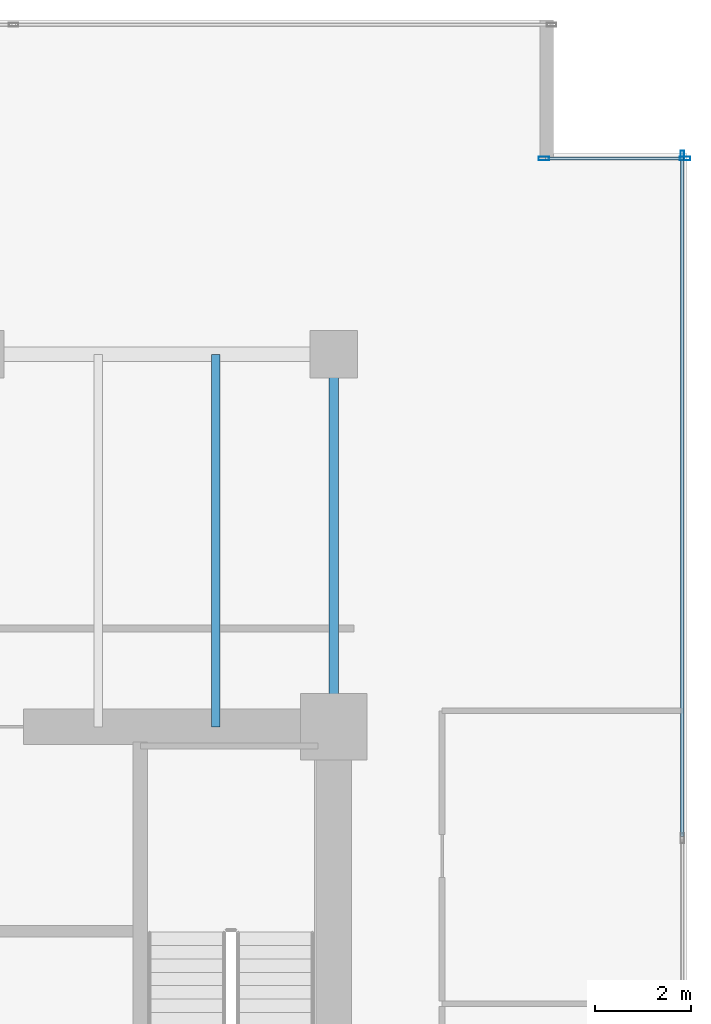
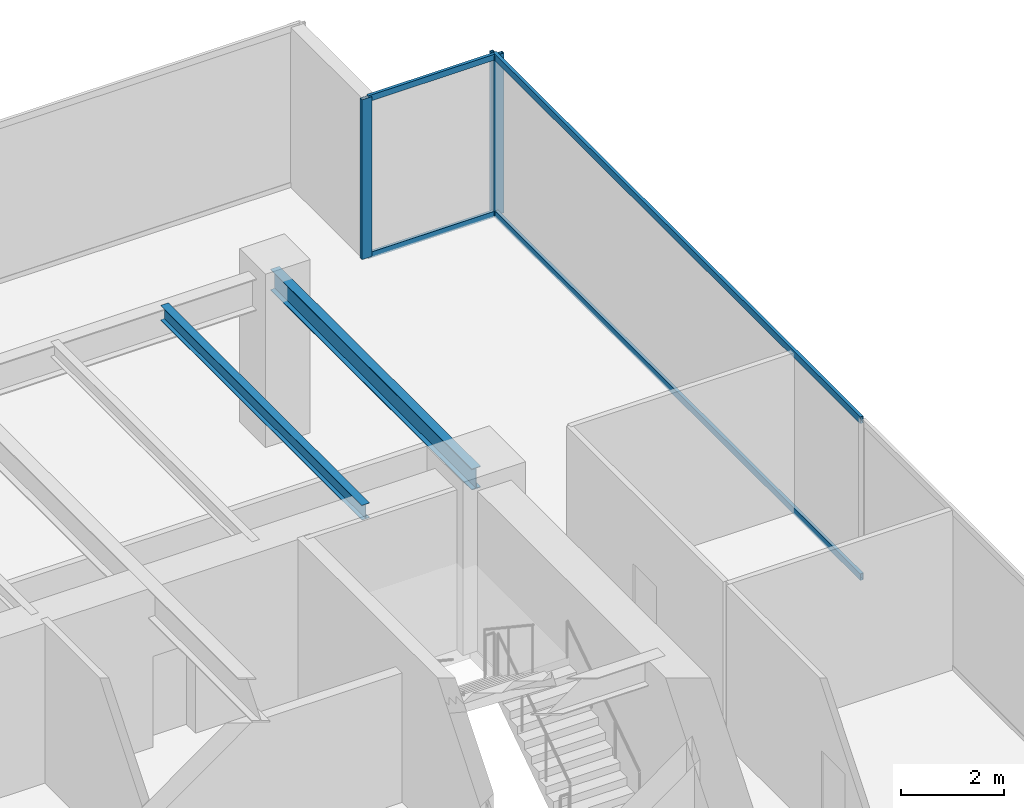
# One storey, part 26 of 35: 7 members, 2 beams, 2 elements without a shape of their own.
"""IFC4 building model written with IfcOpenShell, lengths in metres."""

from ifc_helpers import new_model, si_unit, direction, frame, origin, origin_2d, place, context, subcontext, project, spatial, hollow_rectangle, i_section, extrude, source, transform, mapped, material, layer, layer_set, material_profile, profile_set, type_object, type_shapes, element, aggregate, save


model = new_model("IFC4")

# Units and contexts
model_context = context("Model", 3, precision=1e-05, world=origin(), true_north=direction((0.0, 1.0)))
body_context = subcontext(model_context, "Body", "Model", "MODEL_VIEW")
ifc_project = project(units=[si_unit("LENGTHUNIT", "METRE"), si_unit("AREAUNIT", "SQUARE_METRE"), si_unit("VOLUMEUNIT", "CUBIC_METRE"), si_unit("PLANEANGLEUNIT", "RADIAN"), si_unit("MASSUNIT", "GRAM", prefix="KILO")], contexts=[model_context])

# Site, building, storey
site_placement = place(None, origin())
site = spatial("IfcSite", under=ifc_project, at=site_placement, CompositionType="ELEMENT")
building_placement = place(site_placement, origin())
building = spatial("IfcBuilding", under=site, at=building_placement, Name="Haelvirn Gate Laboratories", CompositionType="ELEMENT")
storey_placement = place(building_placement, frame((0.0, 0.0, 41.60009765625)))
storey = spatial("IfcBuildingStorey", under=building, at=storey_placement, Name="L10", CompositionType="ELEMENT", Elevation=41.60009765625)

# Beams
ifc_material_1 = material(Name="Steel SM355", Category="steel")
ifc_material_profile_1 = material_profile(ifc_material_1, i_section(OverallWidth=0.199951171875, OverallDepth=0.5, WebThickness=0.010009765625, FlangeThickness=0.01611328125, at=origin_2d()), Name="H-500x200x10x16")
ifc_profile_set_1 = profile_set([ifc_material_profile_1], Name="Steel SM355")
beam_type_1 = type_object("IfcBeamType", Name="BM-SP-500", PredefinedType="SPANDREL", material=ifc_profile_set_1)
shared_shape_1 = source(origin(), body_context, "Body", "SweptSolid", [
    extrude(i_section(OverallWidth=0.199951171875, OverallDepth=0.5, WebThickness=0.010009765625, FlangeThickness=0.01611328125, at=origin_2d()), origin(), (0.0, 0.0, 1.0), 7.800048828125),
])
type_shapes(beam_type_1, [shared_shape_1])
beam_1_placement = place(storey_placement, frame((67.39990234375, 33.800048828125, 3.52978515625), z_axis=(0.0, 1.0, 0.0), x_axis=(-1.0, 0.0, 0.0)))
element("IfcBeam", 1, at=beam_1_placement, inside=storey, type_object=beam_type_1, Name="L10 Perimeter Spandrel X67.4 (33.8-41.6)", PredefinedType="SPANDREL", context=body_context, shape_type="MappedRepresentation", body=[
    mapped(shared_shape_1, transform((0.0, 0.0, 0.0), scale=1.0)),
])
ifc_material_profile_2 = material_profile(ifc_material_1, i_section(OverallWidth=0.175048828125, OverallDepth=0.35009765625, WebThickness=0.007080078125, FlangeThickness=0.010986328125, at=origin_2d()), Name="H-350x175x7x11")
ifc_profile_set_2 = profile_set([ifc_material_profile_2], Name="Steel SM355")
beam_type_2 = type_object("IfcBeamType", Name="BM-J-350", PredefinedType="JOIST", material=ifc_profile_set_2)
shared_shape_2 = source(origin(), body_context, "Body", "SweptSolid", [
    extrude(i_section(OverallWidth=0.175048828125, OverallDepth=0.35009765625, WebThickness=0.007080078125, FlangeThickness=0.010986328125, at=origin_2d()), origin(), (0.0, 0.0, 1.0), 7.800048828125),
])
type_shapes(beam_type_2, [shared_shape_2])
beam_2_placement = place(storey_placement, frame((64.929931640625, 33.800048828125, 3.60498046875), z_axis=(0.0, 1.0, 0.0), x_axis=(-1.0, 0.0, 0.0)))
element("IfcBeam", 2, at=beam_2_placement, inside=storey, type_object=beam_type_2, Name="L10 Composite Lab Joist North X64.93", PredefinedType="JOIST", context=body_context, shape_type="MappedRepresentation", body=[
    mapped(shared_shape_2, transform((0.0, 0.0, 0.0), scale=1.0)),
])

# Curtain wall, members
ifc_material_2 = material(Name="Anodised bronze unitised aluminium & triple low-E glass", Category="aluminium")
ifc_layer_1 = layer(ifc_material_2, 0.181884765625, Name="CW-SYS-5")
ifc_layer_set_1 = layer_set([ifc_layer_1], Name="Anodised bronze unitised aluminium & triple low-E glass")
curtain_wall_type_1 = type_object("IfcCurtainWallType", Name="CW-SYS-5", PredefinedType="NOTDEFINED", material=ifc_layer_set_1)
curtain_wall_1_placement = place(storey_placement, origin())
curtain_wall_1 = element("IfcCurtainWall", 3, at=curtain_wall_1_placement, inside=storey, type_object=curtain_wall_type_1, Name="L10 Unitised Curtain Wall CW-L10-P0-E08-1", PredefinedType="NOTDEFINED")
ifc_material_3 = material(Name="Extruded aluminium 6063-T6 (anodised bronze)", Category="aluminium")
ifc_material_profile_3 = material_profile(ifc_material_3, hollow_rectangle(XDim=0.06494140625, YDim=0.139892578125, WallThickness=0.00390625, at=origin_2d()), Name="CWT-140x65x4")
ifc_profile_set_3 = profile_set([ifc_material_profile_3], Name="Extruded aluminium 6063-T6 (anodised bronze)")
member_type_1 = type_object("IfcMemberType", Name="CWT-T140", PredefinedType="USERDEFINED", material=ifc_profile_set_3)
shared_shape_3 = source(origin(), body_context, "Body", "SweptSolid", [
    extrude(hollow_rectangle(XDim=0.06494140625, YDim=0.139892578125, WallThickness=0.00390625, at=origin_2d()), origin(), (0.0, 0.0, 1.0), 2.8798828125),
])
type_shapes(member_type_1, [shared_shape_3])
member_1_placement = place(storey_placement, frame((71.840087890625, 45.699951171875, 0.032470703125), z_axis=(1.0, 0.0, 0.0), x_axis=(0.0, 1.0, 0.0)))
member_1 = element("IfcMember", 4, at=member_1_placement, type_object=member_type_1, Name="CW5 transom 1.1", ObjectType="TRANSOM", PredefinedType="USERDEFINED", context=body_context, shape_type="MappedRepresentation", body=[
    mapped(shared_shape_3, transform((0.0, 0.0, 0.0), scale=1.0)),
])
member_2_placement = place(storey_placement, frame((71.840087890625, 45.699951171875, 3.747314453125), z_axis=(1.0, 0.0, 0.0), x_axis=(0.0, 1.0, 0.0)))
member_2 = element("IfcMember", 5, at=member_2_placement, type_object=member_type_1, Name="CW5 transom 1.2", ObjectType="TRANSOM", PredefinedType="USERDEFINED", context=body_context, shape_type="MappedRepresentation", body=[
    mapped(shared_shape_3, transform((0.0, 0.0, 0.0), scale=1.0)),
])

ifc_layer_2 = layer(ifc_material_2, 0.18408203125, Name="CW-SYS-2")
ifc_layer_set_2 = layer_set([ifc_layer_2], Name="Anodised bronze unitised aluminium & triple low-E glass")
curtain_wall_type_2 = type_object("IfcCurtainWallType", Name="CW-SYS-2", PredefinedType="NOTDEFINED", material=ifc_layer_set_2)
curtain_wall_2_placement = place(storey_placement, origin())
curtain_wall_2 = element("IfcCurtainWall", 6, at=curtain_wall_2_placement, inside=storey, type_object=curtain_wall_type_2, Name="L10 Unitised Curtain Wall CW-L10-P0-E07", PredefinedType="NOTDEFINED")
ifc_material_profile_4 = material_profile(ifc_material_3, hollow_rectangle(XDim=0.070068359375, YDim=0.159912109375, WallThickness=0.0048828125, at=origin_2d()), Name="CWT-160x70x5")
ifc_profile_set_4 = profile_set([ifc_material_profile_4], Name="Extruded aluminium 6063-T6 (anodised bronze)")
member_type_2 = type_object("IfcMemberType", Name="CWT-T160", PredefinedType="USERDEFINED", material=ifc_profile_set_4)
shared_shape_4 = source(origin(), body_context, "Body", "SweptSolid", [
    extrude(hollow_rectangle(XDim=0.070068359375, YDim=0.159912109375, WallThickness=0.0048828125, at=origin_2d()), origin(), (0.0, 0.0, 1.0), 14.220947265625),
])
type_shapes(member_type_2, [shared_shape_4])
member_3_placement = place(storey_placement, frame((74.699951171875, 31.504150390625, 0.034912109375), z_axis=(0.0, 1.0, 0.0), x_axis=(-1.0, 0.0, 0.0)))
member_3 = element("IfcMember", 7, at=member_3_placement, type_object=member_type_2, Name="CW2 transom 3.1", ObjectType="TRANSOM", PredefinedType="USERDEFINED", context=body_context, shape_type="MappedRepresentation", body=[
    mapped(shared_shape_4, transform((0.0, 0.0, 0.0), scale=1.0)),
])
member_4_placement = place(storey_placement, frame((74.699951171875, 31.504150390625, 3.744873046875), z_axis=(0.0, 1.0, 0.0), x_axis=(-1.0, 0.0, 0.0)))
member_4 = element("IfcMember", 8, at=member_4_placement, type_object=member_type_2, Name="CW2 transom 3.2", ObjectType="TRANSOM", PredefinedType="USERDEFINED", context=body_context, shape_type="MappedRepresentation", body=[
    mapped(shared_shape_4, transform((0.0, 0.0, 0.0), scale=1.0)),
])
ifc_material_profile_5 = material_profile(ifc_material_3, hollow_rectangle(XDim=0.074951171875, YDim=0.199951171875, WallThickness=0.0048828125, at=origin_2d()), Name="CWM-200x75x5")
ifc_profile_set_5 = profile_set([ifc_material_profile_5], Name="Extruded aluminium 6063-T6 (anodised bronze)")
member_type_3 = type_object("IfcMemberType", Name="CWM-T200", PredefinedType="MULLION", material=ifc_profile_set_5)
shared_shape_5 = source(origin(), body_context, "Body", "SweptSolid", [
    extrude(hollow_rectangle(XDim=0.074951171875, YDim=0.199951171875, WallThickness=0.0048828125, at=origin_2d()), origin(), (0.0, 0.0, 1.0), 3.77978515625),
])
type_shapes(member_type_3, [shared_shape_5])
member_5_placement = place(storey_placement, frame((74.699951171875, 45.762451171875, 0.0), z_axis=(0.0, 0.0, 1.0), x_axis=(-1.0, 0.0, 0.0)))
member_5 = element("IfcMember", 9, at=member_5_placement, type_object=member_type_3, Name="CW2 mullion 4", PredefinedType="MULLION", context=body_context, shape_type="MappedRepresentation", body=[
    mapped(shared_shape_5, transform((0.0, 0.0, 0.0), scale=1.0)),
])
aggregate(curtain_wall_2, [member_5, member_3, member_4])

# Member
ifc_material_profile_6 = material_profile(ifc_material_3, hollow_rectangle(XDim=0.080078125, YDim=0.219970703125, WallThickness=0.006103515625, at=origin_2d()), Name="CWM-220x80x6")
ifc_profile_set_6 = profile_set([ifc_material_profile_6], Name="Extruded aluminium 6063-T6 (anodised bronze)")
member_type_4 = type_object("IfcMemberType", Name="CWM-T220", PredefinedType="MULLION", material=ifc_profile_set_6)
shared_shape_6 = source(origin(), body_context, "Body", "SweptSolid", [
    extrude(hollow_rectangle(XDim=0.080078125, YDim=0.219970703125, WallThickness=0.006103515625, at=origin_2d()), origin(), (0.0, 0.0, 1.0), 3.77978515625),
])
type_shapes(member_type_4, [shared_shape_6])
member_6_placement = place(storey_placement, frame((71.800048828125, 45.699951171875, 0.0), z_axis=(0.0, 0.0, 1.0), x_axis=(0.0, 1.0, 0.0)))
member_6 = element("IfcMember", 10, at=member_6_placement, type_object=member_type_4, Name="CW5 mullion 1", PredefinedType="MULLION", context=body_context, shape_type="MappedRepresentation", body=[
    mapped(shared_shape_6, transform((0.0, 0.0, 0.0), scale=1.0)),
])

member_7_placement = place(storey_placement, frame((74.760009765625, 45.699951171875, 0.0), z_axis=(0.0, 0.0, 1.0), x_axis=(0.0, 1.0, 0.0)))
member_7 = element("IfcMember", 11, at=member_7_placement, type_object=member_type_4, Name="CW5 mullion 2", PredefinedType="MULLION", context=body_context, shape_type="MappedRepresentation", body=[
    mapped(shared_shape_6, transform((0.0, 0.0, 0.0), scale=1.0)),
])

aggregate(curtain_wall_1, [member_6, member_7, member_1, member_2])

save(model, "model.ifc")
